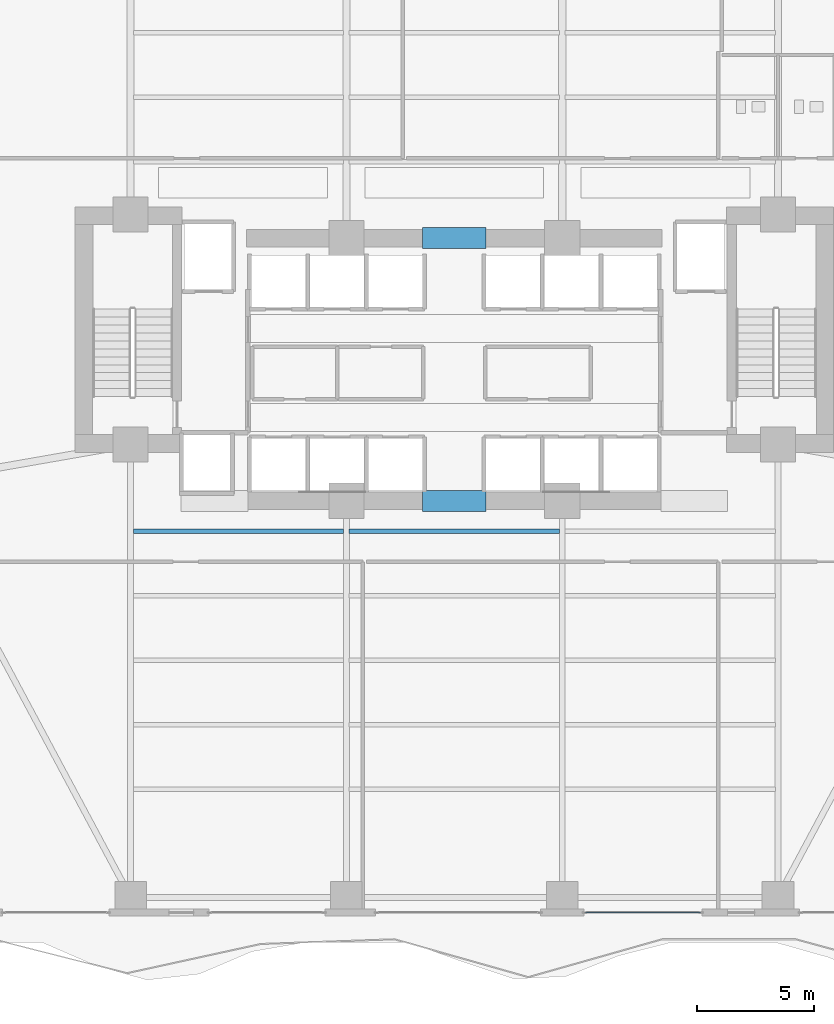
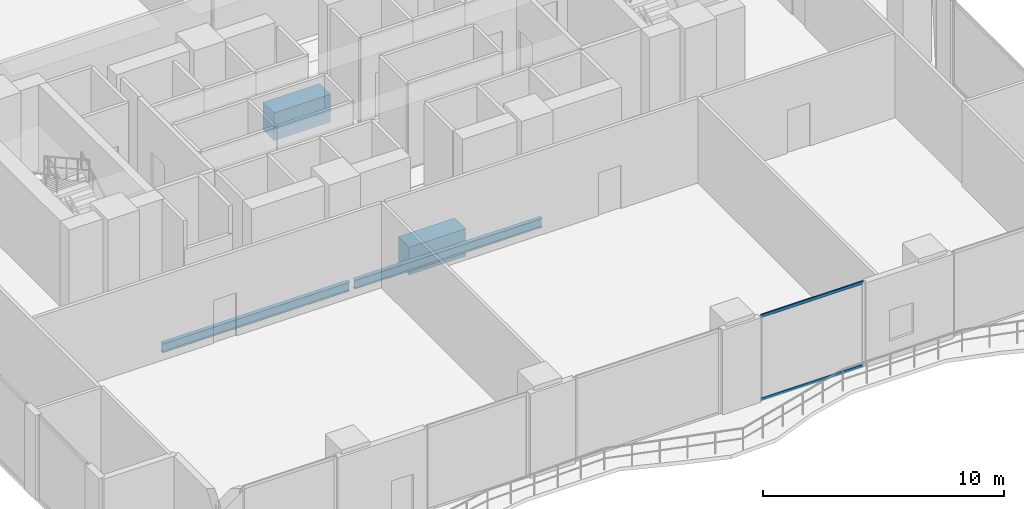
# One storey, part 11 of 33: 4 beams, 2 members, 1 element without a shape of its own.
"""IFC4 building model written with IfcOpenShell, lengths in metres."""

from ifc_helpers import new_model, si_unit, direction, frame, origin, origin_2d, place, context, subcontext, project, spatial, rectangle, hollow_rectangle, i_section, extrude, material, layer, layer_set, material_profile, profile_set, type_object, element, aggregate, save


model = new_model("IFC4")

# Units and contexts
model_context = context("Model", 3, precision=1e-05, world=origin(), true_north=direction((0.0, 1.0)))
body_context = subcontext(model_context, "Body", "Model", "MODEL_VIEW")
ifc_project = project(units=[si_unit("LENGTHUNIT", "METRE"), si_unit("AREAUNIT", "SQUARE_METRE"), si_unit("VOLUMEUNIT", "CUBIC_METRE"), si_unit("PLANEANGLEUNIT", "RADIAN"), si_unit("MASSUNIT", "GRAM", prefix="KILO")], contexts=[model_context])

# Site, building, storey
site_placement = place(None, origin())
site = spatial("IfcSite", under=ifc_project, at=site_placement, CompositionType="ELEMENT")
building_placement = place(site_placement, origin())
building = spatial("IfcBuilding", under=site, at=building_placement, Name="Zuhayl Quay Hotel", CompositionType="ELEMENT")
storey_placement = place(building_placement, frame((0.0, 0.0, 154.050048828125)))
storey = spatial("IfcBuildingStorey", under=building, at=storey_placement, Name="L39", CompositionType="ELEMENT", Elevation=154.050048828125)

# Beams
ifc_material_1 = material(Name="Concrete C60/75", Category="concrete")
ifc_material_profile_1 = material_profile(ifc_material_1, rectangle(XDim=0.89990234375, YDim=1.39990234375, at=origin_2d()), Name="RC900X1400")
ifc_profile_set_1 = profile_set([ifc_material_profile_1], Name="Concrete C60/75")
beam_type_1 = type_object("IfcBeamType", Name="BM_CB1_RC900", PredefinedType="T_BEAM", material=ifc_profile_set_1)
for number, where, z_axis, x_axis, name in (
    (1, (-1.35009765625, 13.35009765625, -0.920166015625), (1.0, 0.0, 0.0), (0.0, 1.0, 0.0), "L39 Core Coupling Beam North"),
    (2, (-1.35009765625, 2.14990234375, -0.920166015625), (1.0, 0.0, 0.0), (0.0, 1.0, 0.0), "L39 Core Coupling Beam South"),
):
    element("IfcBeam", number, at=place(storey_placement, frame(where, z_axis=z_axis, x_axis=x_axis)), inside=storey, type_object=beam_type_1, Name=name, PredefinedType="T_BEAM", context=body_context, shape_type="SweptSolid", body=[
        extrude(rectangle(XDim=0.89990234375, YDim=1.39990234375, at=origin_2d()), origin(), (0.0, 0.0, 1.0), 2.7001953125),
    ])
ifc_material_2 = material(Name="Steel ASTM A992 Grade 50", Category="steel")
ifc_material_profile_2 = material_profile(ifc_material_2, i_section(OverallWidth=0.18994140625, OverallDepth=0.45703125, WebThickness=0.009033203125, FlangeThickness=0.014404296875, at=origin_2d()), Name="W18X50")
ifc_profile_set_2 = profile_set([ifc_material_profile_2], Name="Steel ASTM A992 Grade 50")
beam_type_2 = type_object("IfcBeamType", Name="BM_J2_W18X50", PredefinedType="JOIST", material=ifc_profile_set_2)
for number, where, z_axis, x_axis, name in (
    (3, (-13.680908203125, 0.85009765625, -0.448486328125), (1.0, 0.0, 0.0), (0.0, 1.0, 0.0), "L39 Floor Beam FJ_L39_9_1"),
    (4, (-4.48095703125, 0.85009765625, -0.448486328125), (1.0, 0.0, 0.0), (0.0, 1.0, 0.0), "L39 Floor Beam FJ_L39_9_2"),
):
    element("IfcBeam", number, at=place(storey_placement, frame(where, z_axis=z_axis, x_axis=x_axis)), inside=storey, type_object=beam_type_2, Name=name, PredefinedType="JOIST", context=body_context, shape_type="SweptSolid", body=[
        extrude(i_section(OverallWidth=0.18994140625, OverallDepth=0.45703125, WebThickness=0.009033203125, FlangeThickness=0.014404296875, at=origin_2d()), origin(), (0.0, 0.0, 1.0), 8.9619140625),
    ])

# Curtain wall, members
ifc_material_3 = material(Name="Anodised Aluminium 6063-T6", Category="aluminium")
ifc_layer = layer(ifc_material_3, 0.179931640625, Name="Anodised Aluminium 6063-T6", Category="aluminium")
ifc_layer_set = layer_set([ifc_layer], Name="Anodised Aluminium 6063-T6")
curtain_wall_type = type_object("IfcCurtainWallType", Name="CW_SYS_Z2", PredefinedType="USERDEFINED", material=ifc_layer_set)
curtain_wall_placement = place(storey_placement, origin())
curtain_wall = element("IfcCurtainWall", 5, at=curtain_wall_placement, inside=storey, type_object=curtain_wall_type, Name="L39 Curtain Wall ENV_L39_S_CW2", ObjectType="UNITISED CURTAIN WALL", PredefinedType="USERDEFINED")
ifc_material_4 = material(Name="Black-anodised aluminium 6063-T6", Category="aluminium")
ifc_material_profile_3 = material_profile(ifc_material_4, hollow_rectangle(XDim=0.06005859375, YDim=0.14990234375, WallThickness=0.00341796875, at=origin_2d()), Name="ALU150X60")
ifc_profile_set_3 = profile_set([ifc_material_profile_3], Name="Black-anodised aluminium 6063-T6")
member_type = type_object("IfcMemberType", Name="MB_CW_TRN_150", PredefinedType="USERDEFINED", material=ifc_profile_set_3)
member_1_placement = place(storey_placement, frame((10.485107421875, -15.39990234375, 0.030029296875), z_axis=(-1.0, 0.0, 0.0), x_axis=(0.0, -1.0, 0.0)))
member_1 = element("IfcMember", 6, at=member_1_placement, type_object=member_type, Name="CW-Z2 transom 1.1", ObjectType="TRANSOM", PredefinedType="USERDEFINED", context=body_context, shape_type="SweptSolid", body=[
    extrude(hollow_rectangle(XDim=0.06005859375, YDim=0.14990234375, WallThickness=0.00341796875, at=origin_2d()), origin(), (0.0, 0.0, 1.0), 4.900146484375),
])
member_2_placement = place(storey_placement, frame((10.485107421875, -15.39990234375, 4.25), z_axis=(-1.0, 0.0, 0.0), x_axis=(0.0, -1.0, 0.0)))
member_2 = element("IfcMember", 7, at=member_2_placement, type_object=member_type, Name="CW-Z2 transom 1.2", ObjectType="TRANSOM", PredefinedType="USERDEFINED", context=body_context, shape_type="SweptSolid", body=[
    extrude(hollow_rectangle(XDim=0.06005859375, YDim=0.14990234375, WallThickness=0.00341796875, at=origin_2d()), origin(), (0.0, 0.0, 1.0), 4.900146484375),
])
aggregate(curtain_wall, [member_1, member_2])

save(model, "model.ifc")
